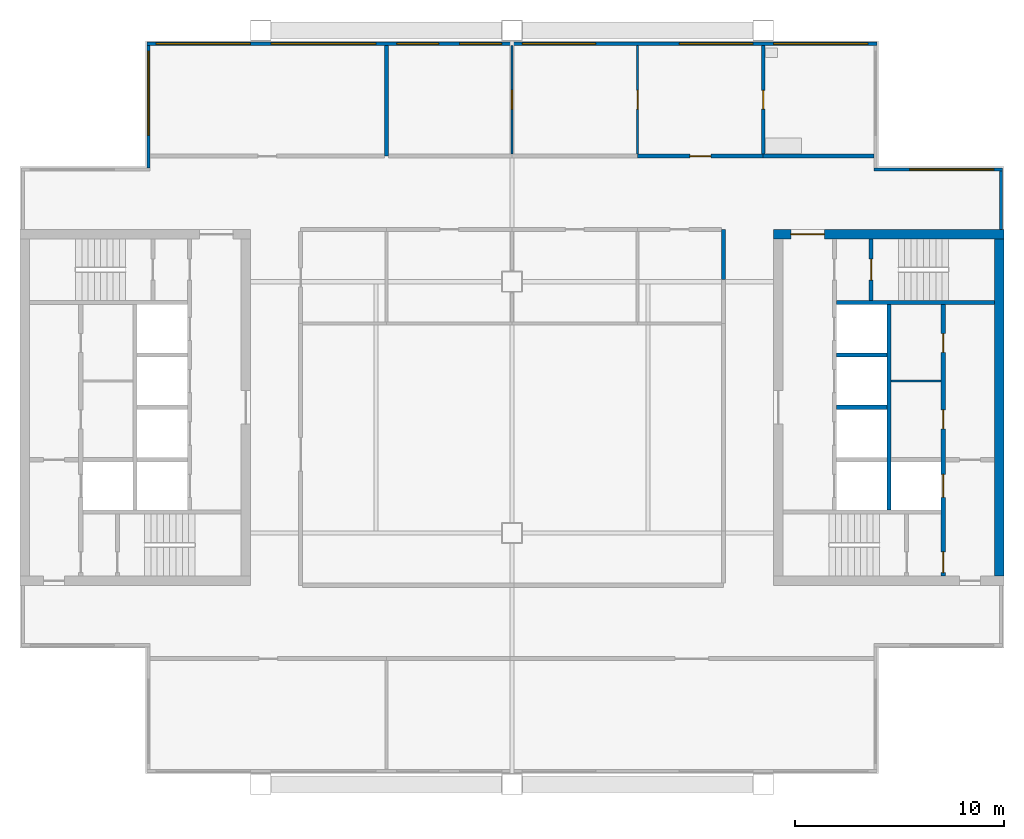
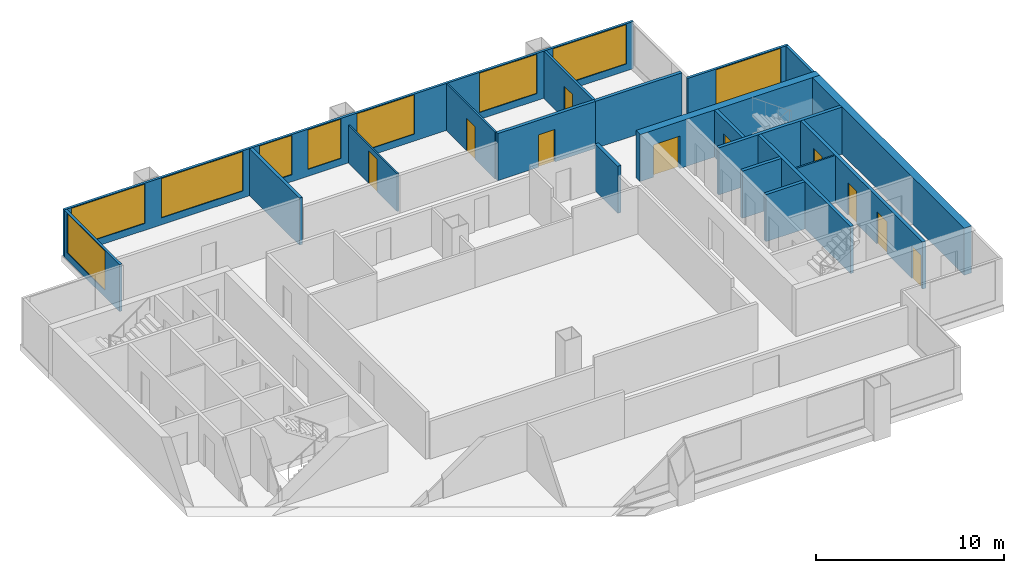
# One storey, part 4 of 7: 20 walls, 10 doors, 9 windows, 19 openings.
"""IFC4 building model written with IfcOpenShell, lengths in metres."""

from ifc_helpers import new_model, si_unit, direction, frame, frame_2d, origin, place, context, subcontext, project, spatial, rectangle, extrude, material, layer, layer_set, type_object, element, fill, save


model = new_model("IFC4")

# Units and contexts
model_context = context("Model", 3, precision=1e-05, world=origin(), true_north=direction((0.0, 1.0)))
body_context = subcontext(model_context, "Body", "Model", "MODEL_VIEW")
ifc_project = project(units=[si_unit("LENGTHUNIT", "METRE"), si_unit("AREAUNIT", "SQUARE_METRE"), si_unit("VOLUMEUNIT", "CUBIC_METRE"), si_unit("PLANEANGLEUNIT", "RADIAN"), si_unit("MASSUNIT", "GRAM", prefix="KILO")], contexts=[model_context])

# Site, building, storey
site_placement = place(None, origin())
site = spatial("IfcSite", under=ifc_project, at=site_placement, CompositionType="ELEMENT")
building_placement = place(site_placement, origin())
building = spatial("IfcBuilding", under=site, at=building_placement, Name="Kitamizu Gate Tower and Museum", CompositionType="ELEMENT")
storey_placement = place(building_placement, frame((0.0, 0.0, 245.550048828125)))
storey = spatial("IfcBuildingStorey", under=building, at=storey_placement, Name="L66", CompositionType="ELEMENT", Elevation=245.550048828125)

# Wall, opening, door
ifc_material_1 = material(Name="Concrete Fc42", Category="concrete")
ifc_layer_1 = layer(ifc_material_1, 0.449951171875)
ifc_layer_set_1 = layer_set([ifc_layer_1], Name="Concrete Fc42")
wall_type_1 = type_object("IfcWallType", Name="Core wall 450", PredefinedType="SHEAR", material=ifc_layer_set_1)
wall_1_placement = place(storey_placement, frame((59.5, 38.27490234375, 0.0), z_axis=(0.0, 0.0, 1.0), x_axis=(-1.0, 0.0, 0.0)))
wall_1 = element("IfcWall", 1, at=wall_1_placement, inside=storey, type_object=wall_type_1, Name="Core wall EN", PredefinedType="SHEAR", context=body_context, shape_type="SweptSolid", body=[
    extrude(rectangle(XDim=11.0, YDim=0.449951171875, at=frame_2d((5.5, 0.0))), origin(), (0.0, 0.0, 1.0), 3.050048828125),
])
opening_1_placement = place(wall_1_placement, frame((8.574951171875, 0.0, 0.0)))
opening_1 = element("IfcOpeningElement", 2, at=opening_1_placement, cuts=wall_1, Name="Opening L66-029", PredefinedType="OPENING", context=body_context, shape_type="SweptSolid", body=[
    extrude(rectangle(XDim=1.60009765625, YDim=2.10009765625, at=frame_2d((0.800048828125, 1.050048828125))), frame((0.0, 0.23486328125, 0.0), z_axis=(0.0, -1.0, 0.0), x_axis=(1.0, 0.0, 0.0)), (0.0, 0.0, 1.0), 0.469970703125),
])
ifc_material_2 = material(Name="Timber door set", Category="wood")
door_type_1 = type_object("IfcDoorType", Name="Entrance door 1600", OperationType="DOUBLE_DOOR_SINGLE_SWING", PredefinedType="DOOR", material=ifc_material_2)
door_1_placement = place(opening_1_placement, origin())
door_1 = element("IfcDoor", 3, at=door_1_placement, inside=storey, type_object=door_type_1, Name="Lobby door L66-029", OperationType="DOUBLE_DOOR_SINGLE_SWING", OverallHeight=2.10009765625, OverallWidth=1.60009765625, PredefinedType="DOOR", context=body_context, shape_type="SweptSolid", body=[
    extrude(rectangle(XDim=1.60009765625, YDim=2.10009765625, at=frame_2d((0.800048828125, 1.050048828125))), frame((0.0, 0.02490234375, 0.0), z_axis=(0.0, -1.0, 0.0), x_axis=(1.0, 0.0, 0.0)), (0.0, 0.0, 1.0), 0.050048828125),
])
fill(opening_1, door_1)

# Walls
wall_2_placement = place(storey_placement, frame((59.27490234375, 21.949951171875, 0.0), z_axis=(0.0, 0.0, 1.0), x_axis=(0.0, 1.0, 0.0)))
element("IfcWall", 4, at=wall_2_placement, inside=storey, type_object=wall_type_1, Name="Core wall EOUT", PredefinedType="SHEAR", context=body_context, shape_type="SweptSolid", body=[
    extrude(rectangle(XDim=16.10009765625, YDim=0.449951171875, at=frame_2d((8.050048828125, 0.0))), origin(), (0.0, 0.0, 1.0), 3.050048828125),
])
ifc_material_3 = material(Name="Gypsum board on galvanised stud")
ifc_layer_2 = layer(ifc_material_3, 0.10009765625)
ifc_layer_set_2 = layer_set([ifc_layer_2], Name="Gypsum board on galvanised stud")
wall_type_2 = type_object("IfcWallType", Name="Partition 100", PredefinedType="PARTITIONING", material=ifc_layer_set_2)
wall_3_placement = place(storey_placement, frame((56.5, 31.25, 0.0), z_axis=(0.0, 0.0, 1.0), x_axis=(-1.0, 0.0, 0.0)))
element("IfcWall", 5, at=wall_3_placement, inside=storey, type_object=wall_type_2, Name="Partition EPF1", PredefinedType="PARTITIONING", context=body_context, shape_type="SweptSolid", body=[
    extrude(rectangle(XDim=2.39990234375, YDim=0.10009765625, at=frame_2d((1.199951171875, 0.0))), origin(), (0.0, 0.0, 1.0), 3.050048828125),
])

# Wall, opening, door
ifc_material_4 = material(Name="Gypsum board on galvanised stud")
ifc_layer_3 = layer(ifc_material_4, 0.10009765625)
ifc_layer_set_3 = layer_set([ifc_layer_3], Name="Gypsum board on galvanised stud")
wall_type_3 = type_object("IfcWallType", Name="Partition 100 NOT RATED", PredefinedType="PARTITIONING", material=ifc_layer_set_3)
wall_4_placement = place(storey_placement, frame((36.0, 42.10009765625, 0.0), z_axis=(0.0, 0.0, 1.0), x_axis=(0.0, 1.0, 0.0)))
wall_4 = element("IfcWall", 6, at=wall_4_placement, inside=storey, type_object=wall_type_3, Name="Partition L66-003", PredefinedType="PARTITIONING", context=body_context, shape_type="SweptSolid", body=[
    extrude(rectangle(XDim=5.179931640625, YDim=0.10009765625, at=frame_2d((2.58984375, 0.0))), origin(), (0.0, 0.0, 1.0), 2.449951171875),
])
opening_2_placement = place(wall_4_placement, frame((2.139892578125, 0.0, 0.0)))
opening_2 = element("IfcOpeningElement", 7, at=opening_2_placement, cuts=wall_4, Name="Opening L66-003", PredefinedType="OPENING", context=body_context, shape_type="SweptSolid", body=[
    extrude(rectangle(XDim=0.89990234375, YDim=2.10009765625, at=frame_2d((0.449951171875, 1.050048828125))), frame((0.0, 0.06005859375, 0.0), z_axis=(0.0, -1.0, 0.0), x_axis=(1.0, 0.0, 0.0)), (0.0, 0.0, 1.0), 0.1201171875),
])
ifc_material_5 = material(Name="Timber door set", Category="wood")
door_type_2 = type_object("IfcDoorType", Name="Room door 900", OperationType="NOTDEFINED", PredefinedType="DOOR", material=ifc_material_5)
door_2_placement = place(opening_2_placement, origin())
door_2 = element("IfcDoor", 8, at=door_2_placement, inside=storey, type_object=door_type_2, Name="Door L66-003", OperationType="SINGLE_SWING_RIGHT", OverallHeight=2.10009765625, OverallWidth=0.89990234375, PredefinedType="DOOR", context=body_context, shape_type="SweptSolid", body=[
    extrude(rectangle(XDim=0.89990234375, YDim=2.10009765625, at=frame_2d((0.449951171875, 1.050048828125))), frame((0.0, 0.02490234375, 0.0), z_axis=(0.0, -1.0, 0.0), x_axis=(1.0, 0.0, 0.0)), (0.0, 0.0, 1.0), 0.050048828125),
])
fill(opening_2, door_2)

wall_5_placement = place(storey_placement, frame((42.0, 42.10009765625, 0.0), z_axis=(0.0, 0.0, 1.0), x_axis=(0.0, 1.0, 0.0)))
wall_5 = element("IfcWall", 9, at=wall_5_placement, inside=storey, type_object=wall_type_3, Name="Partition L66-005", PredefinedType="PARTITIONING", context=body_context, shape_type="SweptSolid", body=[
    extrude(rectangle(XDim=5.179931640625, YDim=0.10009765625, at=frame_2d((2.58984375, 0.0))), origin(), (0.0, 0.0, 1.0), 3.050048828125),
])
opening_3_placement = place(wall_5_placement, frame((2.139892578125, 0.0, 0.0)))
opening_3 = element("IfcOpeningElement", 10, at=opening_3_placement, cuts=wall_5, Name="Opening L66-002", PredefinedType="OPENING", context=body_context, shape_type="SweptSolid", body=[
    extrude(rectangle(XDim=0.89990234375, YDim=2.10009765625, at=frame_2d((0.449951171875, 1.050048828125))), frame((0.0, 0.06005859375, 0.0), z_axis=(0.0, -1.0, 0.0), x_axis=(1.0, 0.0, 0.0)), (0.0, 0.0, 1.0), 0.1201171875),
])
door_3_placement = place(opening_3_placement, origin())
door_3 = element("IfcDoor", 11, at=door_3_placement, inside=storey, type_object=door_type_2, Name="Door L66-002", OperationType="SINGLE_SWING_LEFT", OverallHeight=2.10009765625, OverallWidth=0.89990234375, PredefinedType="DOOR", context=body_context, shape_type="SweptSolid", body=[
    extrude(rectangle(XDim=0.89990234375, YDim=2.10009765625, at=frame_2d((0.449951171875, 1.050048828125))), frame((0.0, 0.02490234375, 0.0), z_axis=(0.0, -1.0, 0.0), x_axis=(1.0, 0.0, 0.0)), (0.0, 0.0, 1.0), 0.050048828125),
])
fill(opening_3, door_3)

ifc_material_6 = material(Name="Gypsum board on galvanised stud")
ifc_layer_4 = layer(ifc_material_6, 0.14990234375)
ifc_layer_set_4 = layer_set([ifc_layer_4], Name="Gypsum board on galvanised stud")
wall_type_4 = type_object("IfcWallType", Name="Partition 150", PredefinedType="PARTITIONING", material=ifc_layer_set_4)
wall_6_placement = place(storey_placement, frame((48.0, 42.10009765625, 0.0), z_axis=(0.0, 0.0, 1.0), x_axis=(0.0, 1.0, 0.0)))
wall_6 = element("IfcWall", 12, at=wall_6_placement, inside=storey, type_object=wall_type_4, Name="Partition L66-007", PredefinedType="PARTITIONING", context=body_context, shape_type="SweptSolid", body=[
    extrude(rectangle(XDim=5.179931640625, YDim=0.14990234375, at=frame_2d((2.58984375, 0.0))), origin(), (0.0, 0.0, 1.0), 3.050048828125),
])
opening_4_placement = place(wall_6_placement, frame((2.139892578125, 0.0, 0.0)))
opening_4 = element("IfcOpeningElement", 13, at=opening_4_placement, cuts=wall_6, Name="Opening L66-004", PredefinedType="OPENING", context=body_context, shape_type="SweptSolid", body=[
    extrude(rectangle(XDim=0.89990234375, YDim=2.10009765625, at=frame_2d((0.449951171875, 1.050048828125))), frame((0.0, 0.0849609375, 0.0), z_axis=(0.0, -1.0, 0.0), x_axis=(1.0, 0.0, 0.0)), (0.0, 0.0, 1.0), 0.169921875),
])
ifc_material_7 = material(Name="Timber door set", Category="wood")
door_type_3 = type_object("IfcDoorType", Name="Bathroom door 900", OperationType="NOTDEFINED", PredefinedType="DOOR", material=ifc_material_7)
door_4_placement = place(opening_4_placement, frame((0.89990234375, 0.0, 0.0), x_axis=(-1.0, 0.0, 0.0)))
door_4 = element("IfcDoor", 14, at=door_4_placement, inside=storey, type_object=door_type_3, Name="Bathroom door L66-004", OperationType="SINGLE_SWING_RIGHT", OverallHeight=2.10009765625, OverallWidth=0.89990234375, PredefinedType="DOOR", context=body_context, shape_type="SweptSolid", body=[
    extrude(rectangle(XDim=0.89990234375, YDim=2.10009765625, at=frame_2d((0.449951171875, 1.050048828125))), frame((0.0, 0.02490234375, 0.0), z_axis=(0.0, -1.0, 0.0), x_axis=(1.0, 0.0, 0.0)), (0.0, 0.0, 1.0), 0.050048828125),
])
fill(opening_4, door_4)

# Wall
ifc_material_8 = material(Name="Gypsum board on galvanised stud")
ifc_layer_5 = layer(ifc_material_8, 0.199951171875)
ifc_layer_set_5 = layer_set([ifc_layer_5], Name="Gypsum board on galvanised stud")
wall_type_5 = type_object("IfcWallType", Name="Partition 200", PredefinedType="PARTITIONING", material=ifc_layer_set_5)
wall_7_placement = place(storey_placement, frame((30.0, 42.0, 0.0), z_axis=(0.0, 0.0, 1.0), x_axis=(0.0, 1.0, 0.0)))
element("IfcWall", 15, at=wall_7_placement, inside=storey, type_object=wall_type_5, Name="Partition L66-001", PredefinedType="PARTITIONING", context=body_context, shape_type="SweptSolid", body=[
    extrude(rectangle(XDim=5.280029296875, YDim=0.199951171875, at=frame_2d((2.64013671875, 0.0))), origin(), (0.0, 0.0, 1.0), 3.050048828125),
])

# Wall, opening, door
wall_8_placement = place(storey_placement, frame((42.0, 42.0, 0.0), z_axis=(0.0, 0.0, 1.0), x_axis=(1.0, 0.0, 0.0)))
wall_8 = element("IfcWall", 16, at=wall_8_placement, inside=storey, type_object=wall_type_5, Name="Partition L66-008", PredefinedType="PARTITIONING", context=body_context, shape_type="SweptSolid", body=[
    extrude(rectangle(XDim=6.0, YDim=0.199951171875, at=frame_2d((3.0, 0.0))), origin(), (0.0, 0.0, 1.0), 3.050048828125),
])
opening_5_placement = place(wall_8_placement, frame((2.5, 0.0, 0.0)))
opening_5 = element("IfcOpeningElement", 17, at=opening_5_placement, cuts=wall_8, Name="Opening L66-001", PredefinedType="OPENING", context=body_context, shape_type="SweptSolid", body=[
    extrude(rectangle(XDim=1.0, YDim=2.10009765625, at=frame_2d((0.5, 1.050048828125))), frame((0.0, 0.10986328125, 0.0), z_axis=(0.0, -1.0, 0.0), x_axis=(1.0, 0.0, 0.0)), (0.0, 0.0, 1.0), 0.219970703125),
])
ifc_material_9 = material(Name="Timber door set", Category="wood")
door_type_4 = type_object("IfcDoorType", Name="Flat entrance door 1000", OperationType="NOTDEFINED", PredefinedType="DOOR", material=ifc_material_9)
door_5_placement = place(opening_5_placement, origin())
door_5 = element("IfcDoor", 18, at=door_5_placement, inside=storey, type_object=door_type_4, Name="Flat entrance door L66-001", OperationType="SINGLE_SWING_RIGHT", OverallHeight=2.10009765625, OverallWidth=1.0, PredefinedType="DOOR", context=body_context, shape_type="SweptSolid", body=[
    extrude(rectangle(XDim=1.0, YDim=2.10009765625, at=frame_2d((0.5, 1.050048828125))), frame((0.0, 0.02490234375, 0.0), z_axis=(0.0, -1.0, 0.0), x_axis=(1.0, 0.0, 0.0)), (0.0, 0.0, 1.0), 0.050048828125),
])
fill(opening_5, door_5)

# Walls
wall_9_placement = place(storey_placement, frame((48.0, 42.0, 0.0), z_axis=(0.0, 0.0, 1.0), x_axis=(1.0, 0.0, 0.0)))
element("IfcWall", 19, at=wall_9_placement, inside=storey, type_object=wall_type_5, Name="Partition L66-009", PredefinedType="PARTITIONING", context=body_context, shape_type="SweptSolid", body=[
    extrude(rectangle(XDim=5.280029296875, YDim=0.199951171875, at=frame_2d((2.64013671875, 0.0))), origin(), (0.0, 0.0, 1.0), 3.050048828125),
])
wall_10_placement = place(storey_placement, frame((46.10009765625, 36.10009765625, 0.0), z_axis=(0.0, 0.0, 1.0), x_axis=(0.0, 1.0, 0.0)))
element("IfcWall", 20, at=wall_10_placement, inside=storey, type_object=wall_type_5, Name="Partition L66-024", PredefinedType="PARTITIONING", context=body_context, shape_type="SweptSolid", body=[
    extrude(rectangle(XDim=2.39990234375, YDim=0.199951171875, at=frame_2d((1.199951171875, 0.0))), origin(), (0.0, 0.0, 1.0), 3.050048828125),
])

# Wall, openings, doors
ifc_material_10 = material(Name="Concrete Fc42", Category="concrete")
ifc_layer_6 = layer(ifc_material_10, 0.199951171875)
ifc_layer_set_6 = layer_set([ifc_layer_6], Name="Concrete Fc42")
wall_type_6 = type_object("IfcWallType", Name="Shaft wall 200", PredefinedType="SOLIDWALL", material=ifc_layer_set_6)
wall_11_placement = place(storey_placement, frame((56.60009765625, 21.949951171875, 0.0), z_axis=(0.0, 0.0, 1.0), x_axis=(0.0, 1.0, 0.0)))
wall_11 = element("IfcWall", 21, at=wall_11_placement, inside=storey, type_object=wall_type_6, Name="Shaft wall EWEST", PredefinedType="SOLIDWALL", context=body_context, shape_type="SweptSolid", body=[
    extrude(rectangle(XDim=12.949951171875, YDim=0.199951171875, at=frame_2d((6.47509765625, 0.0))), origin(), (0.0, 0.0, 1.0), 3.050048828125),
])
opening_6_placement = place(wall_11_placement, frame((3.75, 0.0, 0.0)))
opening_6 = element("IfcOpeningElement", 22, at=opening_6_placement, cuts=wall_11, Name="Opening LD", PredefinedType="OPENING", context=body_context, shape_type="SweptSolid", body=[
    extrude(rectangle(XDim=1.10009765625, YDim=2.10009765625, at=frame_2d((0.550048828125, 1.050048828125))), frame((0.0, 0.10986328125, 0.0), z_axis=(0.0, -1.0, 0.0), x_axis=(1.0, 0.0, 0.0)), (0.0, 0.0, 1.0), 0.219970703125),
])
opening_7_placement = place(wall_11_placement, frame((0.14990234375, 0.0, 0.0)))
opening_7 = element("IfcOpeningElement", 23, at=opening_7_placement, cuts=wall_11, Name="Opening L66-024", PredefinedType="OPENING", context=body_context, shape_type="SweptSolid", body=[
    extrude(rectangle(XDim=1.0, YDim=2.10009765625, at=frame_2d((0.5, 1.050048828125))), frame((0.0, 0.10986328125, 0.0), z_axis=(0.0, -1.0, 0.0), x_axis=(1.0, 0.0, 0.0)), (0.0, 0.0, 1.0), 0.219970703125),
])
opening_8_placement = place(wall_11_placement, frame((7.02490234375, 0.0, 0.0)))
opening_8 = element("IfcOpeningElement", 24, at=opening_8_placement, cuts=wall_11, Name="Opening L66-031", PredefinedType="OPENING", context=body_context, shape_type="SweptSolid", body=[
    extrude(rectangle(XDim=0.89990234375, YDim=2.10009765625, at=frame_2d((0.449951171875, 1.050048828125))), frame((0.0, 0.10986328125, 0.0), z_axis=(0.0, -1.0, 0.0), x_axis=(1.0, 0.0, 0.0)), (0.0, 0.0, 1.0), 0.219970703125),
])
opening_9_placement = place(wall_11_placement, frame((10.675048828125, 0.0, 0.0)))
opening_9 = element("IfcOpeningElement", 25, at=opening_9_placement, cuts=wall_11, Name="Opening L66-032", PredefinedType="OPENING", context=body_context, shape_type="SweptSolid", body=[
    extrude(rectangle(XDim=0.89990234375, YDim=2.10009765625, at=frame_2d((0.449951171875, 1.050048828125))), frame((0.0, 0.10986328125, 0.0), z_axis=(0.0, -1.0, 0.0), x_axis=(1.0, 0.0, 0.0)), (0.0, 0.0, 1.0), 0.219970703125),
])
ifc_material_11 = material(Name="Hollow metal door set")
door_type_5 = type_object("IfcDoorType", Name="Fire door 1000", OperationType="NOTDEFINED", PredefinedType="DOOR", material=ifc_material_11)
door_6_placement = place(opening_7_placement, origin())
door_6 = element("IfcDoor", 26, at=door_6_placement, inside=storey, type_object=door_type_5, Name="Stair lobby door L66-024", OperationType="SINGLE_SWING_RIGHT", OverallHeight=2.10009765625, OverallWidth=1.0, PredefinedType="DOOR", context=body_context, shape_type="SweptSolid", body=[
    extrude(rectangle(XDim=1.0, YDim=2.10009765625, at=frame_2d((0.5, 1.050048828125))), frame((0.0, 0.02490234375, 0.0), z_axis=(0.0, -1.0, 0.0), x_axis=(1.0, 0.0, 0.0)), (0.0, 0.0, 1.0), 0.050048828125),
])
fill(opening_7, door_6)
ifc_material_12 = material(Name="Hollow metal door set")
door_type_6 = type_object("IfcDoorType", Name="Landing door 1100", OperationType="SLIDING_TO_LEFT", PredefinedType="DOOR", material=ifc_material_12)
door_7_placement = place(opening_6_placement, origin())
door_7 = element("IfcDoor", 27, at=door_7_placement, inside=storey, type_object=door_type_6, Name="Landing door EFF1", OperationType="SLIDING_TO_LEFT", OverallHeight=2.10009765625, OverallWidth=1.10009765625, PredefinedType="DOOR", context=body_context, shape_type="SweptSolid", body=[
    extrude(rectangle(XDim=1.10009765625, YDim=2.10009765625, at=frame_2d((0.550048828125, 1.050048828125))), frame((0.0, 0.02490234375, 0.0), z_axis=(0.0, -1.0, 0.0), x_axis=(1.0, 0.0, 0.0)), (0.0, 0.0, 1.0), 0.050048828125),
])
fill(opening_6, door_7)
ifc_material_13 = material(Name="Timber door set", Category="wood")
door_type_7 = type_object("IfcDoorType", Name="Service door 900", OperationType="NOTDEFINED", PredefinedType="DOOR", material=ifc_material_13)
door_8_placement = place(opening_8_placement, origin())
door_8 = element("IfcDoor", 28, at=door_8_placement, inside=storey, type_object=door_type_7, Name="Service door L66-031", OperationType="SINGLE_SWING_RIGHT", OverallHeight=2.10009765625, OverallWidth=0.89990234375, PredefinedType="DOOR", context=body_context, shape_type="SweptSolid", body=[
    extrude(rectangle(XDim=0.89990234375, YDim=2.10009765625, at=frame_2d((0.449951171875, 1.050048828125))), frame((0.0, 0.02490234375, 0.0), z_axis=(0.0, -1.0, 0.0), x_axis=(1.0, 0.0, 0.0)), (0.0, 0.0, 1.0), 0.050048828125),
])
fill(opening_8, door_8)
door_9_placement = place(opening_9_placement, origin())
door_9 = element("IfcDoor", 29, at=door_9_placement, inside=storey, type_object=door_type_7, Name="Service door L66-032", OperationType="SINGLE_SWING_LEFT", OverallHeight=2.10009765625, OverallWidth=0.89990234375, PredefinedType="DOOR", context=body_context, shape_type="SweptSolid", body=[
    extrude(rectangle(XDim=0.89990234375, YDim=2.10009765625, at=frame_2d((0.449951171875, 1.050048828125))), frame((0.0, 0.02490234375, 0.0), z_axis=(0.0, -1.0, 0.0), x_axis=(1.0, 0.0, 0.0)), (0.0, 0.0, 1.0), 0.050048828125),
])
fill(opening_9, door_9)

# Walls
wall_12_placement = place(storey_placement, frame((54.0, 25.10009765625, 0.0), z_axis=(0.0, 0.0, 1.0), x_axis=(0.0, 1.0, 0.0)))
element("IfcWall", 30, at=wall_12_placement, inside=storey, type_object=wall_type_6, Name="Shaft wall EMID", PredefinedType="SOLIDWALL", context=body_context, shape_type="SweptSolid", body=[
    extrude(rectangle(XDim=9.7998046875, YDim=0.199951171875, at=frame_2d((4.89990234375, 0.0))), origin(), (0.0, 0.0, 1.0), 3.050048828125),
])
wall_13_placement = place(storey_placement, frame((59.050048828125, 35.0, 0.0), z_axis=(0.0, 0.0, 1.0), x_axis=(-1.0, 0.0, 0.0)))
element("IfcWall", 31, at=wall_13_placement, inside=storey, type_object=wall_type_6, Name="Shaft wall ENB", PredefinedType="SOLIDWALL", context=body_context, shape_type="SweptSolid", body=[
    extrude(rectangle(XDim=7.550048828125, YDim=0.199951171875, at=frame_2d((3.77490234375, 0.0))), origin(), (0.0, 0.0, 1.0), 3.050048828125),
])

# Wall, opening, door
wall_14_placement = place(storey_placement, frame((53.14990234375, 35.10009765625, 0.0), z_axis=(0.0, 0.0, 1.0), x_axis=(0.0, 1.0, 0.0)))
wall_14 = element("IfcWall", 32, at=wall_14_placement, inside=storey, type_object=wall_type_6, Name="Shaft wall ENZ", PredefinedType="SOLIDWALL", context=body_context, shape_type="SweptSolid", body=[
    extrude(rectangle(XDim=2.949951171875, YDim=0.199951171875, at=frame_2d((1.47509765625, 0.0))), origin(), (0.0, 0.0, 1.0), 3.050048828125),
])
opening_10_placement = place(wall_14_placement, frame((0.97509765625, 0.0, 0.0)))
opening_10 = element("IfcOpeningElement", 33, at=opening_10_placement, cuts=wall_14, Name="Opening L66-026", PredefinedType="OPENING", context=body_context, shape_type="SweptSolid", body=[
    extrude(rectangle(XDim=1.0, YDim=2.10009765625, at=frame_2d((0.5, 1.050048828125))), frame((0.0, 0.10986328125, 0.0), z_axis=(0.0, -1.0, 0.0), x_axis=(1.0, 0.0, 0.0)), (0.0, 0.0, 1.0), 0.219970703125),
])
door_10_placement = place(opening_10_placement, frame((1.0, 0.0, 0.0), x_axis=(-1.0, 0.0, 0.0)))
door_10 = element("IfcDoor", 34, at=door_10_placement, inside=storey, type_object=door_type_5, Name="Stair door L66-026", OperationType="SINGLE_SWING_RIGHT", OverallHeight=2.10009765625, OverallWidth=1.0, PredefinedType="DOOR", context=body_context, shape_type="SweptSolid", body=[
    extrude(rectangle(XDim=1.0, YDim=2.10009765625, at=frame_2d((0.5, 1.050048828125))), frame((0.0, 0.02490234375, 0.0), z_axis=(0.0, -1.0, 0.0), x_axis=(1.0, 0.0, 0.0)), (0.0, 0.0, 1.0), 0.050048828125),
])
fill(opening_10, door_10)

# Walls
for number, where, z_axis, x_axis, name in (
    (35, (53.89990234375, 30.0, 0.0), (0.0, 0.0, 1.0), (-1.0, 0.0, 0.0), "Shaft wall EDVE1"),
    (36, (53.89990234375, 32.5, 0.0), (0.0, 0.0, 1.0), (-1.0, 0.0, 0.0), "Shaft wall EDVE2"),
):
    element("IfcWall", number, at=place(storey_placement, frame(where, z_axis=z_axis, x_axis=x_axis)), inside=storey, type_object=wall_type_6, Name=name, PredefinedType="SOLIDWALL", context=body_context, shape_type="SweptSolid", body=[
        extrude(rectangle(XDim=2.39990234375, YDim=0.199951171875, at=frame_2d((1.199951171875, 0.0))), origin(), (0.0, 0.0, 1.0), 3.050048828125),
    ])
ifc_material_14 = material(Name="Bronze anodised aluminium frame with insulated spandrel and tinted glass", Category="aluminium")
ifc_layer_7 = layer(ifc_material_14, 0.14990234375)
ifc_layer_set_7 = layer_set([ifc_layer_7], Name="Bronze anodised aluminium frame with insulated spandrel and tinted glass")
wall_type_7 = type_object("IfcWallType", Name="WINDOW WALL 150 BRONZE FRAME EI 30", PredefinedType="ELEMENTEDWALL", material=ifc_layer_set_7)
wall_15_placement = place(storey_placement, frame((59.364990234375, 38.5, 0.0), z_axis=(0.0, 0.0, 1.0), x_axis=(0.0, 1.0, 0.0)))
element("IfcWall", 37, at=wall_15_placement, inside=storey, type_object=wall_type_7, Name="Window wall east L66", PredefinedType="ELEMENTEDWALL", context=body_context, shape_type="SweptSolid", body=[
    extrude(rectangle(XDim=2.7900390625, YDim=0.14990234375, at=frame_2d((1.39501953125, 0.0))), origin(), (0.0, 0.0, 1.0), 3.050048828125),
])

# Wall, opening, window
wall_16_placement = place(storey_placement, frame((53.2900390625, 41.364990234375, 0.0), z_axis=(0.0, 0.0, 1.0), x_axis=(1.0, 0.0, 0.0)))
wall_16 = element("IfcWall", 38, at=wall_16_placement, inside=storey, type_object=wall_type_7, Name="Window wall north L66", PredefinedType="ELEMENTEDWALL", context=body_context, shape_type="SweptSolid", body=[
    extrude(rectangle(XDim=6.14990234375, YDim=0.14990234375, at=frame_2d((3.074951171875, 0.0))), origin(), (0.0, 0.0, 1.0), 3.050048828125),
])
opening_11_placement = place(wall_16_placement, frame((1.7099609375, 0.0, 0.449951171875)))
opening_11 = element("IfcOpeningElement", 39, at=opening_11_placement, cuts=wall_16, Name="Opening W16", PredefinedType="OPENING", context=body_context, shape_type="SweptSolid", body=[
    extrude(rectangle(XDim=4.0, YDim=2.550048828125, at=frame_2d((2.0, 1.27490234375))), frame((0.0, 0.0849609375, 0.0), z_axis=(0.0, -1.0, 0.0), x_axis=(1.0, 0.0, 0.0)), (0.0, 0.0, 1.0), 0.169921875),
])
ifc_material_15 = material(Name="Bronze anodised aluminium frame, tinted triple glazing", Category="aluminium")
window_type_1 = type_object("IfcWindowType", Name="WINDOW 4000 x 2550 SILL 450", PartitioningType="SINGLE_PANEL", PredefinedType="WINDOW", material=ifc_material_15)
window_1_placement = place(opening_11_placement, origin())
window_1 = element("IfcWindow", 40, at=window_1_placement, inside=storey, type_object=window_type_1, Name="Window W16 L66", OverallHeight=2.550048828125, OverallWidth=4.0, PartitioningType="SINGLE_PANEL", PredefinedType="WINDOW", context=body_context, shape_type="SweptSolid", body=[
    extrude(rectangle(XDim=4.0, YDim=2.550048828125, at=frame_2d((2.0, 1.27490234375))), frame((0.0, 0.030029296875, 0.0), z_axis=(0.0, -1.0, 0.0), x_axis=(1.0, 0.0, 0.0)), (0.0, 0.0, 1.0), 0.06005859375),
])
fill(opening_11, window_1)

# Wall, openings, windows
wall_17_placement = place(storey_placement, frame((18.56005859375, 47.364990234375, 0.0), z_axis=(0.0, 0.0, 1.0), x_axis=(1.0, 0.0, 0.0)))
wall_17 = element("IfcWall", 41, at=wall_17_placement, inside=storey, type_object=wall_type_7, Name="Window wall north L66", PredefinedType="ELEMENTEDWALL", context=body_context, shape_type="SweptSolid", body=[
    extrude(rectangle(XDim=34.8798828125, YDim=0.14990234375, at=frame_2d((17.43994140625, 0.0))), origin(), (0.0, 0.0, 1.0), 3.050048828125),
])
opening_12_placement = place(wall_17_placement, frame((0.43994140625, 0.0, 0.449951171875)))
opening_12 = element("IfcOpeningElement", 42, at=opening_12_placement, cuts=wall_17, Name="Opening W15", PredefinedType="OPENING", context=body_context, shape_type="SweptSolid", body=[
    extrude(rectangle(XDim=4.5, YDim=2.550048828125, at=frame_2d((2.25, 1.27490234375))), frame((0.0, 0.0849609375, 0.0), z_axis=(0.0, -1.0, 0.0), x_axis=(1.0, 0.0, 0.0)), (0.0, 0.0, 1.0), 0.169921875),
])
opening_13_placement = place(wall_17_placement, frame((5.93994140625, 0.0, 0.449951171875)))
opening_13 = element("IfcOpeningElement", 43, at=opening_13_placement, cuts=wall_17, Name="Opening W1", PredefinedType="OPENING", context=body_context, shape_type="SweptSolid", body=[
    extrude(rectangle(XDim=5.0, YDim=2.550048828125, at=frame_2d((2.5, 1.27490234375))), frame((0.0, 0.0849609375, 0.0), z_axis=(0.0, -1.0, 0.0), x_axis=(1.0, 0.0, 0.0)), (0.0, 0.0, 1.0), 0.169921875),
])
opening_14_placement = place(wall_17_placement, frame((11.93994140625, 0.0, 0.449951171875)))
opening_14 = element("IfcOpeningElement", 44, at=opening_14_placement, cuts=wall_17, Name="Opening W2", PredefinedType="OPENING", context=body_context, shape_type="SweptSolid", body=[
    extrude(rectangle(XDim=2.0, YDim=2.550048828125, at=frame_2d((1.0, 1.27490234375))), frame((0.0, 0.0849609375, 0.0), z_axis=(0.0, -1.0, 0.0), x_axis=(1.0, 0.0, 0.0)), (0.0, 0.0, 1.0), 0.169921875),
])
opening_15_placement = place(wall_17_placement, frame((14.93994140625, 0.0, 0.449951171875)))
opening_15 = element("IfcOpeningElement", 45, at=opening_15_placement, cuts=wall_17, Name="Opening W2", PredefinedType="OPENING", context=body_context, shape_type="SweptSolid", body=[
    extrude(rectangle(XDim=2.0, YDim=2.550048828125, at=frame_2d((1.0, 1.27490234375))), frame((0.0, 0.0849609375, 0.0), z_axis=(0.0, -1.0, 0.0), x_axis=(1.0, 0.0, 0.0)), (0.0, 0.0, 1.0), 0.169921875),
])
opening_16_placement = place(wall_17_placement, frame((17.93994140625, 0.0, 0.449951171875)))
opening_16 = element("IfcOpeningElement", 46, at=opening_16_placement, cuts=wall_17, Name="Opening W35", PredefinedType="OPENING", context=body_context, shape_type="SweptSolid", body=[
    extrude(rectangle(XDim=3.5, YDim=2.550048828125, at=frame_2d((1.75, 1.27490234375))), frame((0.0, 0.0849609375, 0.0), z_axis=(0.0, -1.0, 0.0), x_axis=(1.0, 0.0, 0.0)), (0.0, 0.0, 1.0), 0.169921875),
])
opening_17_placement = place(wall_17_placement, frame((25.43994140625, 0.0, 0.449951171875)))
opening_17 = element("IfcOpeningElement", 47, at=opening_17_placement, cuts=wall_17, Name="Opening W35", PredefinedType="OPENING", context=body_context, shape_type="SweptSolid", body=[
    extrude(rectangle(XDim=3.5, YDim=2.550048828125, at=frame_2d((1.75, 1.27490234375))), frame((0.0, 0.0849609375, 0.0), z_axis=(0.0, -1.0, 0.0), x_axis=(1.0, 0.0, 0.0)), (0.0, 0.0, 1.0), 0.169921875),
])
opening_18_placement = place(wall_17_placement, frame((29.93994140625, 0.0, 0.449951171875)))
opening_18 = element("IfcOpeningElement", 48, at=opening_18_placement, cuts=wall_17, Name="Opening W15", PredefinedType="OPENING", context=body_context, shape_type="SweptSolid", body=[
    extrude(rectangle(XDim=4.5, YDim=2.550048828125, at=frame_2d((2.25, 1.27490234375))), frame((0.0, 0.0849609375, 0.0), z_axis=(0.0, -1.0, 0.0), x_axis=(1.0, 0.0, 0.0)), (0.0, 0.0, 1.0), 0.169921875),
])
ifc_material_16 = material(Name="Bronze anodised aluminium frame, tinted triple glazing", Category="aluminium")
window_type_2 = type_object("IfcWindowType", Name="WINDOW 2000 x 2550 SILL 450", PartitioningType="SINGLE_PANEL", PredefinedType="WINDOW", material=ifc_material_16)
window_2_placement = place(opening_14_placement, origin())
window_2 = element("IfcWindow", 49, at=window_2_placement, inside=storey, type_object=window_type_2, Name="Window W2 L66", OverallHeight=2.550048828125, OverallWidth=2.0, PartitioningType="SINGLE_PANEL", PredefinedType="WINDOW", context=body_context, shape_type="SweptSolid", body=[
    extrude(rectangle(XDim=2.0, YDim=2.550048828125, at=frame_2d((1.0, 1.27490234375))), frame((0.0, 0.030029296875, 0.0), z_axis=(0.0, -1.0, 0.0), x_axis=(1.0, 0.0, 0.0)), (0.0, 0.0, 1.0), 0.06005859375),
])
fill(opening_14, window_2)
window_3_placement = place(opening_15_placement, origin())
window_3 = element("IfcWindow", 50, at=window_3_placement, inside=storey, type_object=window_type_2, Name="Window W2 L66", OverallHeight=2.550048828125, OverallWidth=2.0, PartitioningType="SINGLE_PANEL", PredefinedType="WINDOW", context=body_context, shape_type="SweptSolid", body=[
    extrude(rectangle(XDim=2.0, YDim=2.550048828125, at=frame_2d((1.0, 1.27490234375))), frame((0.0, 0.030029296875, 0.0), z_axis=(0.0, -1.0, 0.0), x_axis=(1.0, 0.0, 0.0)), (0.0, 0.0, 1.0), 0.06005859375),
])
fill(opening_15, window_3)
ifc_material_17 = material(Name="Bronze anodised aluminium frame, tinted triple glazing", Category="aluminium")
window_type_3 = type_object("IfcWindowType", Name="WINDOW 3500 x 2550 SILL 450", PartitioningType="SINGLE_PANEL", PredefinedType="WINDOW", material=ifc_material_17)
window_4_placement = place(opening_16_placement, origin())
window_4 = element("IfcWindow", 51, at=window_4_placement, inside=storey, type_object=window_type_3, Name="Window W35 L66", OverallHeight=2.550048828125, OverallWidth=3.5, PartitioningType="SINGLE_PANEL", PredefinedType="WINDOW", context=body_context, shape_type="SweptSolid", body=[
    extrude(rectangle(XDim=3.5, YDim=2.550048828125, at=frame_2d((1.75, 1.27490234375))), frame((0.0, 0.030029296875, 0.0), z_axis=(0.0, -1.0, 0.0), x_axis=(1.0, 0.0, 0.0)), (0.0, 0.0, 1.0), 0.06005859375),
])
fill(opening_16, window_4)
window_5_placement = place(opening_17_placement, origin())
window_5 = element("IfcWindow", 52, at=window_5_placement, inside=storey, type_object=window_type_3, Name="Window W35 L66", OverallHeight=2.550048828125, OverallWidth=3.5, PartitioningType="SINGLE_PANEL", PredefinedType="WINDOW", context=body_context, shape_type="SweptSolid", body=[
    extrude(rectangle(XDim=3.5, YDim=2.550048828125, at=frame_2d((1.75, 1.27490234375))), frame((0.0, 0.030029296875, 0.0), z_axis=(0.0, -1.0, 0.0), x_axis=(1.0, 0.0, 0.0)), (0.0, 0.0, 1.0), 0.06005859375),
])
fill(opening_17, window_5)
ifc_material_18 = material(Name="Bronze anodised aluminium frame, tinted triple glazing", Category="aluminium")
window_type_4 = type_object("IfcWindowType", Name="WINDOW 4500 x 2550 SILL 450", PartitioningType="SINGLE_PANEL", PredefinedType="WINDOW", material=ifc_material_18)
window_6_placement = place(opening_12_placement, origin())
window_6 = element("IfcWindow", 53, at=window_6_placement, inside=storey, type_object=window_type_4, Name="Window W15 L66", OverallHeight=2.550048828125, OverallWidth=4.5, PartitioningType="SINGLE_PANEL", PredefinedType="WINDOW", context=body_context, shape_type="SweptSolid", body=[
    extrude(rectangle(XDim=4.5, YDim=2.550048828125, at=frame_2d((2.25, 1.27490234375))), frame((0.0, 0.030029296875, 0.0), z_axis=(0.0, -1.0, 0.0), x_axis=(1.0, 0.0, 0.0)), (0.0, 0.0, 1.0), 0.06005859375),
])
fill(opening_12, window_6)
window_7_placement = place(opening_18_placement, origin())
window_7 = element("IfcWindow", 54, at=window_7_placement, inside=storey, type_object=window_type_4, Name="Window W15 L66", OverallHeight=2.550048828125, OverallWidth=4.5, PartitioningType="SINGLE_PANEL", PredefinedType="WINDOW", context=body_context, shape_type="SweptSolid", body=[
    extrude(rectangle(XDim=4.5, YDim=2.550048828125, at=frame_2d((2.25, 1.27490234375))), frame((0.0, 0.030029296875, 0.0), z_axis=(0.0, -1.0, 0.0), x_axis=(1.0, 0.0, 0.0)), (0.0, 0.0, 1.0), 0.06005859375),
])
fill(opening_18, window_7)
ifc_material_19 = material(Name="Bronze anodised aluminium frame, tinted triple glazing", Category="aluminium")
window_type_5 = type_object("IfcWindowType", Name="WINDOW 5000 x 2550 SILL 450", PartitioningType="SINGLE_PANEL", PredefinedType="WINDOW", material=ifc_material_19)
window_8_placement = place(opening_13_placement, origin())
window_8 = element("IfcWindow", 55, at=window_8_placement, inside=storey, type_object=window_type_5, Name="Window W1 L66", OverallHeight=2.550048828125, OverallWidth=5.0, PartitioningType="SINGLE_PANEL", PredefinedType="WINDOW", context=body_context, shape_type="SweptSolid", body=[
    extrude(rectangle(XDim=5.0, YDim=2.550048828125, at=frame_2d((2.5, 1.27490234375))), frame((0.0, 0.030029296875, 0.0), z_axis=(0.0, -1.0, 0.0), x_axis=(1.0, 0.0, 0.0)), (0.0, 0.0, 1.0), 0.06005859375),
])
fill(opening_13, window_8)

# Wall, opening, window
wall_18_placement = place(storey_placement, frame((18.635009765625, 41.43994140625, 0.0), z_axis=(0.0, 0.0, 1.0), x_axis=(0.0, 1.0, 0.0)))
wall_18 = element("IfcWall", 56, at=wall_18_placement, inside=storey, type_object=wall_type_7, Name="Window wall west L66", PredefinedType="ELEMENTEDWALL", context=body_context, shape_type="SweptSolid", body=[
    extrude(rectangle(XDim=5.85009765625, YDim=0.14990234375, at=frame_2d((2.925048828125, 0.0))), origin(), (0.0, 0.0, 1.0), 3.050048828125),
])
opening_19_placement = place(wall_18_placement, frame((1.56005859375, 0.0, 0.449951171875)))
opening_19 = element("IfcOpeningElement", 57, at=opening_19_placement, cuts=wall_18, Name="Opening W16", PredefinedType="OPENING", context=body_context, shape_type="SweptSolid", body=[
    extrude(rectangle(XDim=4.0, YDim=2.550048828125, at=frame_2d((2.0, 1.27490234375))), frame((0.0, 0.0849609375, 0.0), z_axis=(0.0, -1.0, 0.0), x_axis=(1.0, 0.0, 0.0)), (0.0, 0.0, 1.0), 0.169921875),
])
window_9_placement = place(opening_19_placement, origin())
window_9 = element("IfcWindow", 58, at=window_9_placement, inside=storey, type_object=window_type_1, Name="Window W16 L66", OverallHeight=2.550048828125, OverallWidth=4.0, PartitioningType="SINGLE_PANEL", PredefinedType="WINDOW", context=body_context, shape_type="SweptSolid", body=[
    extrude(rectangle(XDim=4.0, YDim=2.550048828125, at=frame_2d((2.0, 1.27490234375))), frame((0.0, 0.030029296875, 0.0), z_axis=(0.0, -1.0, 0.0), x_axis=(1.0, 0.0, 0.0)), (0.0, 0.0, 1.0), 0.06005859375),
])
fill(opening_19, window_9)

save(model, "model.ifc")
